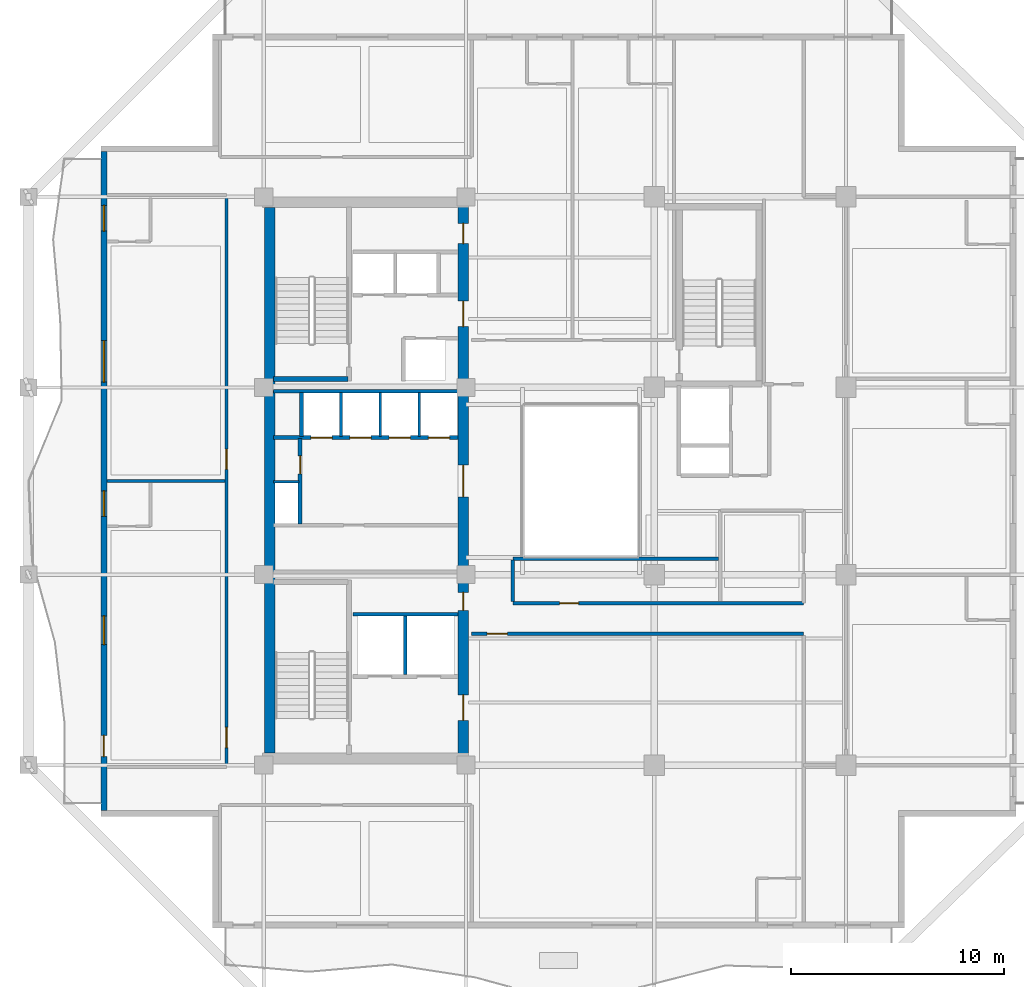
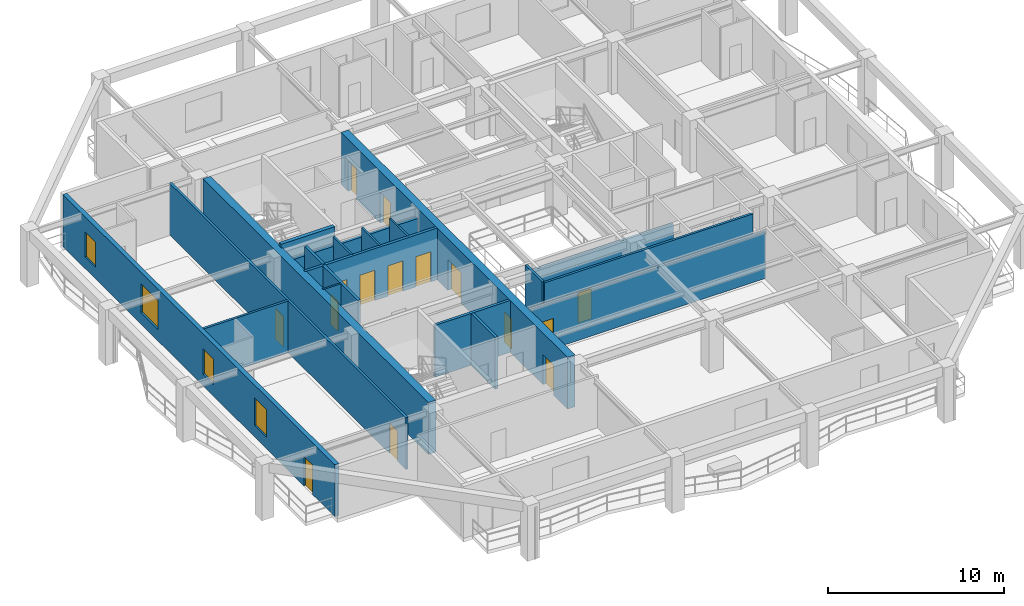
# One storey, part 3 of 12: 20 walls, 15 doors, 4 windows, 19 openings.
"""IFC4 building model written with IfcOpenShell, lengths in metres."""

import ifcopenshell
import ifcopenshell.guid

model = None  # the IFC model being written
_history = None  # IfcOwnerHistory: only IFC2X3 demands one
_inside = {}  # id of a spatial element -> (the spatial element, [elements in it])
_under = {}  # id of a project, library or spatial element -> (it, [spatial elements below it])
_declared = {}  # id of a project -> (the project, [libraries it declares])
_typed = {}  # id of a type object -> (the type object, [elements of that type])
_made_of = {}  # id of a material, layer set ... -> (it, [elements and type objects made of it])


def new_model(schema):
    """Start an empty IFC model of exactly this schema.

    Asked for "IFC4X3", IfcOpenShell would pick the latest addendum, in which some entities
    have other attributes; the version numbers below select the first issue.
    IFC2X3 requires an IfcOwnerHistory on every rooted entity: one is made here for all.
    """
    global model, _history
    if schema == "IFC4X3":
        model = ifcopenshell.file(schema_version=(4, 3, 0, 0))
    else:
        model = ifcopenshell.file(schema=schema)
    _inside.clear()
    _under.clear()
    _declared.clear()
    _typed.clear()
    _made_of.clear()
    _history = None
    if model.schema == "IFC2X3":
        org = make("IfcOrganization", Name="unknown")
        user = make(
            "IfcPersonAndOrganization",
            ThePerson=make("IfcPerson", FamilyName="unknown"),
            TheOrganization=org,
        )
        app = make(
            "IfcApplication",
            ApplicationDeveloper=org,
            Version="unknown",
            ApplicationFullName="unknown",
            ApplicationIdentifier="unknown",
        )
        _history = make(
            "IfcOwnerHistory",
            OwningUser=user,
            OwningApplication=app,
            ChangeAction="ADDED",
            CreationDate=0,
        )
    return model


def make(cls, **values):
    """One entity of the class cls with the attributes given. An attribute that is None is left unset."""
    return model.create_entity(
        cls, **{name: value for name, value in values.items() if value is not None}
    )


def rooted(cls, **values):
    """An entity with a GlobalId (a new one), such as an element, a storey or a relation."""
    return make(cls, GlobalId=ifcopenshell.guid.new(), OwnerHistory=_history, **values)


def si_unit(unit_type, name, prefix=None):
    """IfcSIUnit, for example si_unit("LENGTHUNIT", "METRE", prefix="MILLI")."""
    return make("IfcSIUnit", UnitType=unit_type, Prefix=prefix, Name=name)


def assignment(units):
    """IfcUnitAssignment: the units of a project."""
    return None if units is None else make("IfcUnitAssignment", Units=units)


def point(xyz):
    """IfcCartesianPoint."""
    return None if xyz is None else make("IfcCartesianPoint", Coordinates=xyz)


def direction(xyz):
    """IfcDirection."""
    return None if xyz is None else make("IfcDirection", DirectionRatios=xyz)


def frame(location, z_axis=None, x_axis=None):
    """IfcAxis2Placement3D, a coordinate frame: its origin and axes. An axis left out is left unset."""
    return make(
        "IfcAxis2Placement3D",
        Location=point(location),
        Axis=direction(z_axis),
        RefDirection=direction(x_axis),
    )


def frame_2d(location, x_axis=None):
    """IfcAxis2Placement2D, a coordinate frame in the plane: its origin and x axis."""
    return make(
        "IfcAxis2Placement2D", Location=point(location), RefDirection=direction(x_axis)
    )


def origin():
    """The frame at (0, 0, 0) with its axes left unset."""
    return frame((0.0, 0.0, 0.0))


def place(relative_to, where):
    """IfcLocalPlacement: puts the frame where relative to a parent placement (None: the world)."""
    return make(
        "IfcLocalPlacement", PlacementRelTo=relative_to, RelativePlacement=where
    )


def context(
    kind, dimensions, precision=None, world=None, true_north=None, identifier=None
):
    """IfcGeometricRepresentationContext, for example the 3D "Model" context."""
    return make(
        "IfcGeometricRepresentationContext",
        ContextIdentifier=identifier,
        ContextType=kind,
        CoordinateSpaceDimension=dimensions,
        Precision=precision,
        WorldCoordinateSystem=world,
        TrueNorth=true_north,
    )


def subcontext(parent, identifier, kind, view, scale=None):
    """IfcGeometricRepresentationSubContext, for example "Body" below "Model"."""
    return make(
        "IfcGeometricRepresentationSubContext",
        ContextIdentifier=identifier,
        ContextType=kind,
        ParentContext=parent,
        TargetScale=scale,
        TargetView=view,
    )


def project(units=None, contexts=None):
    """IfcProject with its units and contexts."""
    return rooted(
        "IfcProject",
        Name="project",
        RepresentationContexts=contexts,
        UnitsInContext=assignment(units),
    )


def spatial(cls, under=None, at=None, **own):
    """A site, building, storey or space (cls), placed at a placement, below another one or the project."""
    s = rooted(cls, ObjectPlacement=at, **own)
    if under is not None:
        _under.setdefault(under.id(), (under, []))[1].append(s)
    return s


def profile(cls, at=None, kind="AREA", **sizes):
    """A parametric profile (cls). Its sizes go by their IFC names, for example OverallWidth=200.0."""
    return make(cls, ProfileType=kind, Position=at, **sizes)


def rectangle(**sizes):
    """IfcRectangleProfileDef."""
    return profile("IfcRectangleProfileDef", **sizes)


def extrude(swept, where, along, depth):
    """IfcExtrudedAreaSolid: the profile swept, set in the frame where, extruded along a direction by depth."""
    return make(
        "IfcExtrudedAreaSolid",
        SweptArea=swept,
        Position=where,
        ExtrudedDirection=direction(along),
        Depth=depth,
    )


def shape(context_of_items, identifier, shape_type, items):
    """IfcShapeRepresentation: the items that make up one representation, for example the "Body"."""
    return make(
        "IfcShapeRepresentation",
        ContextOfItems=context_of_items,
        RepresentationIdentifier=identifier,
        RepresentationType=shape_type,
        Items=items,
    )


def material(Name=None, Category=None):
    """IfcMaterial."""
    return make("IfcMaterial", Name=Name, Category=Category)


def layer(
    of_material, thickness, ventilated=None, Name=None, Category=None, Priority=None
):
    """IfcMaterialLayer: one layer of a wall or slab, of a material (None: an air gap)."""
    return make(
        "IfcMaterialLayer",
        Material=of_material,
        LayerThickness=thickness,
        IsVentilated=ventilated,
        Name=Name,
        Category=Category,
        Priority=Priority,
    )


def layer_set(layers, Name=None):
    """IfcMaterialLayerSet."""
    return make("IfcMaterialLayerSet", MaterialLayers=layers, LayerSetName=Name)


def made_of(thing, what):
    """Note that an element or type object is made of a material, layer set ...; save() writes the relation."""
    if what is not None:
        _made_of.setdefault(what.id(), (what, []))[1].append(thing)
    return thing


def type_object(cls, material=None, **own):
    """A type object (cls), such as IfcWallType, which elements share."""
    return made_of(rooted(cls, **own), material)


def element(
    cls,
    number,
    at=None,
    inside=None,
    cuts=None,
    type_object=None,
    material=None,
    context=None,
    identifier="Body",
    shape_type=None,
    held_by="IfcProductDefinitionShape",
    body=None,
    shapes=None,
    **own,
):
    """One element of the class cls, such as IfcWall. Its Tag is "e" and its number.

    at: its placement. inside: the storey or other place that contains it. cuts: it is an
    opening in that element (IfcRelVoidsElement). A single representation is given by context,
    identifier, shape_type and body (its items); several are given by shapes. held_by: the class
    of the entity that holds the representations. save() writes the other relations.
    """
    e = rooted(cls, Tag="e%d" % number, ObjectPlacement=at, **own)
    if body is not None:
        shapes = [shape(context, identifier, shape_type, body)]
    if shapes is not None:
        e.Representation = make(held_by, Representations=shapes)
    if inside is not None:
        _inside.setdefault(inside.id(), (inside, []))[1].append(e)
    if cuts is not None:
        rooted(
            "IfcRelVoidsElement", RelatingBuildingElement=cuts, RelatedOpeningElement=e
        )
    if type_object is not None:
        _typed.setdefault(type_object.id(), (type_object, []))[1].append(e)
    return made_of(e, material)


def fill(opening, filler):
    """IfcRelFillsElement: the door or window that sits in an opening."""
    return rooted(
        "IfcRelFillsElement",
        RelatingOpeningElement=opening,
        RelatedBuildingElement=filler,
    )


def aggregate(whole, parts):
    """IfcRelAggregates: a whole, such as a stair, and the parts it consists of."""
    return rooted("IfcRelAggregates", RelatingObject=whole, RelatedObjects=parts)


def save(model, path):
    """Write the relations noted so far, then the file.

    IfcRelAggregates (storeys below a building ...), IfcRelContainedInSpatialStructure (elements
    in a storey), IfcRelDefinesByType, IfcRelAssociatesMaterial and IfcRelDeclares: one each for
    every whole, place, type object, material and project.
    """
    for whole, parts in _under.values():
        aggregate(whole, parts)
    for where, things in _inside.values():
        rooted(
            "IfcRelContainedInSpatialStructure",
            RelatedElements=things,
            RelatingStructure=where,
        )
    for kind, things in _typed.values():
        rooted("IfcRelDefinesByType", RelatedObjects=things, RelatingType=kind)
    for what, things in _made_of.values():
        rooted("IfcRelAssociatesMaterial", RelatedObjects=things, RelatingMaterial=what)
    for by, libraries in _declared.values():
        rooted("IfcRelDeclares", RelatingContext=by, RelatedDefinitions=libraries)
    model.write(path)


model = new_model("IFC4")

# Units and contexts
model_context = context("Model", 3, precision=1e-05, world=origin(), true_north=direction((0.0, 1.0)))
body_context = subcontext(model_context, "Body", "Model", "MODEL_VIEW")
ifc_project = project(units=[si_unit("LENGTHUNIT", "METRE"), si_unit("AREAUNIT", "SQUARE_METRE"), si_unit("VOLUMEUNIT", "CUBIC_METRE"), si_unit("PLANEANGLEUNIT", "RADIAN"), si_unit("MASSUNIT", "GRAM", prefix="KILO")], contexts=[model_context])

# Site, building, storey
site_placement = place(None, origin())
site = spatial("IfcSite", under=ifc_project, at=site_placement, CompositionType="ELEMENT")
building_placement = place(site_placement, origin())
building = spatial("IfcBuilding", under=site, at=building_placement, Name="Kundavana Baori Tower", CompositionType="ELEMENT")
storey_placement = place(building_placement, frame((0.0, 0.0, 196.39990234375)))
storey = spatial("IfcBuildingStorey", under=building, at=storey_placement, Name="L48", CompositionType="ELEMENT", Elevation=196.39990234375)

# Walls
ifc_material_1 = material(Name="Concrete C50/60", Category="concrete")
ifc_layer_1 = layer(ifc_material_1, 0.39990234375, Name="WL-CORE-400")
ifc_layer_set_1 = layer_set([ifc_layer_1], Name="Concrete C50/60")
wall_type_1 = type_object("IfcWallType", Name="WL-CORE-400", PredefinedType="SHEAR", material=ifc_layer_set_1)
wall_1_placement = place(storey_placement, frame((15.89990234375, 33.389892578125, 0.0), z_axis=(0.0, 0.0, 1.0), x_axis=(1.0, 0.0, 0.0)))
element("IfcWall", 1, at=wall_1_placement, inside=storey, type_object=wall_type_1, Name="WL-L48-ST2-S", PredefinedType="SHEAR", context=body_context, shape_type="SweptSolid", body=[
    extrude(rectangle(XDim=3.52001953125, YDim=0.239990234375, at=frame_2d((1.760009765625, 0.0))), origin(), (0.0, 0.0, 1.0), 3.85009765625),
])
ifc_material_2 = material(Name="Concrete C50/60", Category="concrete")
ifc_layer_2 = layer(ifc_material_2, 0.5, Name="WL-CORE-500")
ifc_layer_set_2 = layer_set([ifc_layer_2], Name="Concrete C50/60")
wall_type_2 = type_object("IfcWallType", Name="WL-CORE-500", PredefinedType="SHEAR", material=ifc_layer_set_2)
wall_2_placement = place(storey_placement, frame((15.739990234375, 15.81005859375, 0.0), z_axis=(0.0, 0.0, 1.0), x_axis=(0.0, 1.0, 0.0)))
element("IfcWall", 2, at=wall_2_placement, inside=storey, type_object=wall_type_2, Name="L48 Offset Core West Shear Wall", PredefinedType="SHEAR", context=body_context, shape_type="SweptSolid", body=[
    extrude(rectangle(XDim=25.6298828125, YDim=0.5, at=frame_2d((12.81494140625, 0.0))), origin(), (0.0, 0.0, 1.0), 3.60009765625),
])

# Wall, openings, doors
wall_3_placement = place(storey_placement, frame((24.830078125, 15.739990234375, 0.0), z_axis=(0.0, 0.0, 1.0), x_axis=(0.0, 1.0, 0.0)))
wall_3 = element("IfcWall", 3, at=wall_3_placement, inside=storey, type_object=wall_type_2, Name="L48 Offset Core East Shear Wall", PredefinedType="SHEAR", context=body_context, shape_type="SweptSolid", body=[
    extrude(rectangle(XDim=25.760009765625, YDim=0.5, at=frame_2d((12.8798828125, 0.0))), origin(), (0.0, 0.0, 1.0), 3.60009765625),
])
opening_1_placement = place(wall_3_placement, frame((1.610107421875, 0.0, 0.0)))
opening_1 = element("IfcOpeningElement", 4, at=opening_1_placement, cuts=wall_3, Name="Opening FD-120", PredefinedType="OPENING", context=body_context, shape_type="SweptSolid", body=[
    extrude(rectangle(XDim=1.199951171875, YDim=2.10009765625, at=frame_2d((0.60009765625, 1.050048828125))), frame((0.0, 0.260009765625, 0.0), z_axis=(0.0, -1.0, 0.0), x_axis=(1.0, 0.0, 0.0)), (0.0, 0.0, 1.0), 0.52001953125),
])
opening_2_placement = place(wall_3_placement, frame((6.780029296875, 0.0, 0.0)))
opening_2 = element("IfcOpeningElement", 5, at=opening_2_placement, cuts=wall_3, Name="Opening FD-085", PredefinedType="OPENING", context=body_context, shape_type="SweptSolid", body=[
    extrude(rectangle(XDim=0.85009765625, YDim=2.06005859375, at=frame_2d((0.425048828125, 1.030029296875))), frame((0.0, 0.260009765625, 0.0), z_axis=(0.0, -1.0, 0.0), x_axis=(1.0, 0.0, 0.0)), (0.0, 0.0, 1.0), 0.52001953125),
])
opening_3_placement = place(wall_3_placement, frame((12.110107421875, 0.0, 0.0)))
opening_3 = element("IfcOpeningElement", 6, at=opening_3_placement, cuts=wall_3, Name="Opening FD-150", PredefinedType="OPENING", context=body_context, shape_type="SweptSolid", body=[
    extrude(rectangle(XDim=1.5, YDim=2.1201171875, at=frame_2d((0.75, 1.06005859375))), frame((0.0, 0.260009765625, 0.0), z_axis=(0.0, -1.0, 0.0), x_axis=(1.0, 0.0, 0.0)), (0.0, 0.0, 1.0), 0.52001953125),
])
opening_4_placement = place(wall_3_placement, frame((20.110107421875, 0.0, 0.0)))
opening_4 = element("IfcOpeningElement", 7, at=opening_4_placement, cuts=wall_3, Name="Opening FD-122", PredefinedType="OPENING", context=body_context, shape_type="SweptSolid", body=[
    extrude(rectangle(XDim=1.199951171875, YDim=2.1201171875, at=frame_2d((0.60009765625, 1.06005859375))), frame((0.0, 0.260009765625, 0.0), z_axis=(0.0, -1.0, 0.0), x_axis=(1.0, 0.0, 0.0)), (0.0, 0.0, 1.0), 0.52001953125),
])
opening_5_placement = place(wall_3_placement, frame((24.010009765625, 0.0, 0.0)))
opening_5 = element("IfcOpeningElement", 8, at=opening_5_placement, cuts=wall_3, Name="Opening FD-095", PredefinedType="OPENING", context=body_context, shape_type="SweptSolid", body=[
    extrude(rectangle(XDim=0.949951171875, YDim=2.10009765625, at=frame_2d((0.47509765625, 1.050048828125))), frame((0.0, 0.260009765625, 0.0), z_axis=(0.0, -1.0, 0.0), x_axis=(1.0, 0.0, 0.0)), (0.0, 0.0, 1.0), 0.52001953125),
])
ifc_material_3 = material(Name="Galvanised Steel Fire-Rated Door Leaf", Category="steel")
door_type_1 = type_object("IfcDoorType", Name="DR-FD120-1200", OperationType="NOTDEFINED", PredefinedType="DOOR", material=ifc_material_3)
door_1_placement = place(opening_1_placement, frame((1.199951171875, 0.0, 0.0), z_axis=(0.0, 0.0, 1.0), x_axis=(-1.0, 0.0, 0.0)))
door_1 = element("IfcDoor", 9, at=door_1_placement, inside=storey, type_object=door_type_1, Name="DR-L48-FFLOB-E", OperationType="SINGLE_SWING_RIGHT", OverallHeight=2.10009765625, OverallWidth=1.199951171875, PredefinedType="DOOR", context=body_context, shape_type="SweptSolid", body=[
    extrude(rectangle(XDim=1.199951171875, YDim=2.10009765625, at=frame_2d((0.60009765625, 1.050048828125))), frame((0.0, 0.02490234375, 0.0), z_axis=(0.0, -1.0, 0.0), x_axis=(1.0, 0.0, 0.0)), (0.0, 0.0, 1.0), 0.050048828125),
])
fill(opening_1, door_1)
ifc_material_4 = material(Name="Galvanised Steel Fire-Rated Door Leaf", Category="steel")
door_type_2 = type_object("IfcDoorType", Name="DR-FD60-1200", OperationType="NOTDEFINED", PredefinedType="DOOR", material=ifc_material_4)
door_2_placement = place(opening_4_placement, frame((1.199951171875, 0.0, 0.0), z_axis=(0.0, 0.0, 1.0), x_axis=(-1.0, 0.0, 0.0)))
door_2 = element("IfcDoor", 10, at=door_2_placement, inside=storey, type_object=door_type_2, Name="DR-L48-HRLOB-E", OperationType="SINGLE_SWING_RIGHT", OverallHeight=2.1201171875, OverallWidth=1.199951171875, PredefinedType="DOOR", context=body_context, shape_type="SweptSolid", body=[
    extrude(rectangle(XDim=1.199951171875, YDim=2.1201171875, at=frame_2d((0.60009765625, 1.06005859375))), frame((0.0, 0.02490234375, 0.0), z_axis=(0.0, -1.0, 0.0), x_axis=(1.0, 0.0, 0.0)), (0.0, 0.0, 1.0), 0.050048828125),
])
fill(opening_4, door_2)
ifc_material_5 = material(Name="Galvanised Steel Fire-Rated Door Leaf", Category="steel")
door_type_3 = type_object("IfcDoorType", Name="DR-FD60-1500", OperationType="NOTDEFINED", PredefinedType="DOOR", material=ifc_material_5)
door_3_placement = place(opening_3_placement, frame((1.5, 0.0, 0.0), z_axis=(0.0, 0.0, 1.0), x_axis=(-1.0, 0.0, 0.0)))
door_3 = element("IfcDoor", 11, at=door_3_placement, inside=storey, type_object=door_type_3, Name="DR-L48-LIFTHALL-E", OperationType="SINGLE_SWING_LEFT", OverallHeight=2.1201171875, OverallWidth=1.5, PredefinedType="DOOR", context=body_context, shape_type="SweptSolid", body=[
    extrude(rectangle(XDim=1.5, YDim=2.1201171875, at=frame_2d((0.75, 1.06005859375))), frame((0.0, 0.02490234375, 0.0), z_axis=(0.0, -1.0, 0.0), x_axis=(1.0, 0.0, 0.0)), (0.0, 0.0, 1.0), 0.050048828125),
])
fill(opening_3, door_3)
ifc_material_6 = material(Name="Galvanised Steel Fire-Rated Door Leaf", Category="steel")
door_type_4 = type_object("IfcDoorType", Name="DR-FD60-850", OperationType="NOTDEFINED", PredefinedType="DOOR", material=ifc_material_6)
door_4_placement = place(opening_2_placement, frame((0.85009765625, 0.0, 0.0), z_axis=(0.0, 0.0, 1.0), x_axis=(-1.0, 0.0, 0.0)))
door_4 = element("IfcDoor", 12, at=door_4_placement, inside=storey, type_object=door_type_4, Name="DR-L48-CSMK1", OperationType="SINGLE_SWING_LEFT", OverallHeight=2.06005859375, OverallWidth=0.85009765625, PredefinedType="DOOR", context=body_context, shape_type="SweptSolid", body=[
    extrude(rectangle(XDim=0.85009765625, YDim=2.06005859375, at=frame_2d((0.425048828125, 1.030029296875))), frame((0.0, 0.02490234375, 0.0), z_axis=(0.0, -1.0, 0.0), x_axis=(1.0, 0.0, 0.0)), (0.0, 0.0, 1.0), 0.050048828125),
])
fill(opening_2, door_4)
ifc_material_7 = material(Name="Engineered Teak Fire-Rated Timber Door Leaf", Category="wood")
door_type_5 = type_object("IfcDoorType", Name="DR-FD60-950", OperationType="NOTDEFINED", PredefinedType="DOOR", material=ifc_material_7)
door_5_placement = place(opening_5_placement, frame((0.949951171875, 0.0, 0.0), z_axis=(0.0, 0.0, 1.0), x_axis=(-1.0, 0.0, 0.0)))
door_5 = element("IfcDoor", 13, at=door_5_placement, inside=storey, type_object=door_type_5, Name="DR-L48-CSRV1", OperationType="SINGLE_SWING_LEFT", OverallHeight=2.10009765625, OverallWidth=0.949951171875, PredefinedType="DOOR", context=body_context, shape_type="SweptSolid", body=[
    extrude(rectangle(XDim=0.949951171875, YDim=2.10009765625, at=frame_2d((0.47509765625, 1.050048828125))), frame((0.0, 0.02490234375, 0.0), z_axis=(0.0, -1.0, 0.0), x_axis=(1.0, 0.0, 0.0)), (0.0, 0.0, 1.0), 0.050048828125),
])
fill(opening_5, door_5)

# Wall, openings, door, windows
ifc_material_8 = material(Name="Red-Buff Dholpur Sandstone Cladding on Concrete C40/50", Category="masonry")
ifc_layer_3 = layer(ifc_material_8, 0.280029296875, Name="WL-EXT-SAND-280")
ifc_layer_set_3 = layer_set([ifc_layer_3], Name="Red-Buff Dholpur Sandstone Cladding on Concrete C40/50")
wall_type_3 = type_object("IfcWallType", Name="WL-EXT-SAND-280", PredefinedType="STANDARD", material=ifc_layer_set_3)
wall_4_placement = place(storey_placement, frame((7.93994140625, 44.070068359375, 0.0), z_axis=(0.0, 0.0, 1.0), x_axis=(0.0, -1.0, 0.0)))
wall_4 = element("IfcWall", 14, at=wall_4_placement, inside=storey, type_object=wall_type_3, Name="L48 Exterior Insulated Facade Wall 10", PredefinedType="STANDARD", context=body_context, shape_type="SweptSolid", body=[
    extrude(rectangle(XDim=30.940185546875, YDim=0.280029296875, at=frame_2d((15.47021484375, 0.0))), origin(), (0.0, 0.0, 1.0), 3.60009765625),
])
opening_6_placement = place(wall_4_placement, frame((27.419921875, 0.0, 0.0)))
opening_6 = element("IfcOpeningElement", 15, at=opening_6_placement, cuts=wall_4, Name="Opening BD-1", PredefinedType="OPENING", context=body_context, shape_type="SweptSolid", body=[
    extrude(rectangle(XDim=1.0, YDim=2.050048828125, at=frame_2d((0.5, 1.02490234375))), frame((0.0, 0.14990234375, 0.0), z_axis=(0.0, -1.0, 0.0), x_axis=(1.0, 0.0, 0.0)), (0.0, 0.0, 1.0), 0.300048828125),
])
opening_7_placement = place(wall_4_placement, frame((21.804931640625, 0.0, 0.800048828125)))
opening_7 = element("IfcOpeningElement", 16, at=opening_7_placement, cuts=wall_4, Name="Opening W-07", PredefinedType="OPENING", context=body_context, shape_type="SweptSolid", body=[
    extrude(rectangle(XDim=1.35009765625, YDim=1.89990234375, at=frame_2d((0.675048828125, 0.949951171875))), frame((0.0, 0.14990234375, 0.0), z_axis=(0.0, -1.0, 0.0), x_axis=(1.0, 0.0, 0.0)), (0.0, 0.0, 1.0), 0.300048828125),
])
opening_8_placement = place(wall_4_placement, frame((15.93505859375, 0.0, 0.800048828125)))
opening_8 = element("IfcOpeningElement", 17, at=opening_8_placement, cuts=wall_4, Name="Opening W-03", PredefinedType="OPENING", context=body_context, shape_type="SweptSolid", body=[
    extrude(rectangle(XDim=1.199951171875, YDim=1.75, at=frame_2d((0.60009765625, 0.875))), frame((0.0, 0.14990234375, 0.0), z_axis=(0.0, -1.0, 0.0), x_axis=(1.0, 0.0, 0.0)), (0.0, 0.0, 1.0), 0.300048828125),
])
opening_9_placement = place(wall_4_placement, frame((8.8701171875, 0.0, 0.800048828125)))
opening_9 = element("IfcOpeningElement", 18, at=opening_9_placement, cuts=wall_4, Name="Opening W-09", PredefinedType="OPENING", context=body_context, shape_type="SweptSolid", body=[
    extrude(rectangle(XDim=1.949951171875, YDim=2.0, at=frame_2d((0.97509765625, 1.0))), frame((0.0, 0.14990234375, 0.0), z_axis=(0.0, -1.0, 0.0), x_axis=(1.0, 0.0, 0.0)), (0.0, 0.0, 1.0), 0.300048828125),
])
opening_10_placement = place(wall_4_placement, frame((2.52490234375, 0.0, 0.800048828125)))
opening_10 = element("IfcOpeningElement", 19, at=opening_10_placement, cuts=wall_4, Name="Opening W-03", PredefinedType="OPENING", context=body_context, shape_type="SweptSolid", body=[
    extrude(rectangle(XDim=1.199951171875, YDim=1.75, at=frame_2d((0.60009765625, 0.875))), frame((0.0, 0.14990234375, 0.0), z_axis=(0.0, -1.0, 0.0), x_axis=(1.0, 0.0, 0.0)), (0.0, 0.0, 1.0), 0.300048828125),
])
ifc_material_9 = material(Name="Architectural Patinated Bronze Metalwork")
door_type_6 = type_object("IfcDoorType", Name="DR-EXT-LOG-1000", OperationType="NOTDEFINED", PredefinedType="DOOR", material=ifc_material_9)
door_6_placement = place(opening_6_placement, frame((1.0, 0.0, 0.0), z_axis=(0.0, 0.0, 1.0), x_axis=(-1.0, 0.0, 0.0)))
door_6 = element("IfcDoor", 20, at=door_6_placement, inside=storey, type_object=door_type_6, Name="L48 Loggia Balcony Access Door W", OperationType="SINGLE_SWING_RIGHT", OverallHeight=2.050048828125, OverallWidth=1.0, PredefinedType="DOOR", context=body_context, shape_type="SweptSolid", body=[
    extrude(rectangle(XDim=1.0, YDim=2.050048828125, at=frame_2d((0.5, 1.02490234375))), frame((0.0, 0.02490234375, 0.0), z_axis=(0.0, -1.0, 0.0), x_axis=(1.0, 0.0, 0.0)), (0.0, 0.0, 1.0), 0.050048828125),
])
fill(opening_6, door_6)
ifc_material_10 = material(Name="Double-Glazed Solar-Control Low-E Insulated Glass", Category="glass")
window_type_1 = type_object("IfcWindowType", Name="WIN-LOG-1200x1750", PartitioningType="SINGLE_PANEL", PredefinedType="WINDOW", material=ifc_material_10)
window_1_placement = place(opening_8_placement, origin())
window_1 = element("IfcWindow", 21, at=window_1_placement, inside=storey, type_object=window_type_1, Name="L48 Recessed Loggia Window W-2", OverallHeight=1.75, OverallWidth=1.199951171875, PartitioningType="SINGLE_PANEL", PredefinedType="WINDOW", context=body_context, shape_type="SweptSolid", body=[
    extrude(rectangle(XDim=1.199951171875, YDim=1.75, at=frame_2d((0.60009765625, 0.875))), frame((0.0, 0.030029296875, 0.0), z_axis=(0.0, -1.0, 0.0), x_axis=(1.0, 0.0, 0.0)), (0.0, 0.0, 1.0), 0.06005859375),
])
fill(opening_8, window_1)
window_2_placement = place(opening_10_placement, origin())
window_2 = element("IfcWindow", 22, at=window_2_placement, inside=storey, type_object=window_type_1, Name="L48 Recessed Loggia Window W-4", OverallHeight=1.75, OverallWidth=1.199951171875, PartitioningType="SINGLE_PANEL", PredefinedType="WINDOW", context=body_context, shape_type="SweptSolid", body=[
    extrude(rectangle(XDim=1.199951171875, YDim=1.75, at=frame_2d((0.60009765625, 0.875))), frame((0.0, 0.030029296875, 0.0), z_axis=(0.0, -1.0, 0.0), x_axis=(1.0, 0.0, 0.0)), (0.0, 0.0, 1.0), 0.06005859375),
])
fill(opening_10, window_2)
ifc_material_11 = material(Name="Double-Glazed Solar-Control Low-E Insulated Glass", Category="glass")
window_type_2 = type_object("IfcWindowType", Name="WIN-LOG-1350x1900", PartitioningType="SINGLE_PANEL", PredefinedType="WINDOW", material=ifc_material_11)
window_3_placement = place(opening_7_placement, origin())
window_3 = element("IfcWindow", 23, at=window_3_placement, inside=storey, type_object=window_type_2, Name="L48 Recessed Loggia Window W-1", OverallHeight=1.89990234375, OverallWidth=1.35009765625, PartitioningType="SINGLE_PANEL", PredefinedType="WINDOW", context=body_context, shape_type="SweptSolid", body=[
    extrude(rectangle(XDim=1.35009765625, YDim=1.89990234375, at=frame_2d((0.675048828125, 0.949951171875))), frame((0.0, 0.030029296875, 0.0), z_axis=(0.0, -1.0, 0.0), x_axis=(1.0, 0.0, 0.0)), (0.0, 0.0, 1.0), 0.06005859375),
])
fill(opening_7, window_3)
ifc_material_12 = material(Name="Double-Glazed Solar-Control Low-E Insulated Glass", Category="glass")
window_type_3 = type_object("IfcWindowType", Name="WIN-LOG-1950x2000", PartitioningType="SINGLE_PANEL", PredefinedType="WINDOW", material=ifc_material_12)
window_4_placement = place(opening_9_placement, origin())
window_4 = element("IfcWindow", 24, at=window_4_placement, inside=storey, type_object=window_type_3, Name="L48 Recessed Loggia Window W-3", OverallHeight=2.0, OverallWidth=1.949951171875, PartitioningType="SINGLE_PANEL", PredefinedType="WINDOW", context=body_context, shape_type="SweptSolid", body=[
    extrude(rectangle(XDim=1.949951171875, YDim=2.0, at=frame_2d((0.97509765625, 1.0))), frame((0.0, 0.030029296875, 0.0), z_axis=(0.0, -1.0, 0.0), x_axis=(1.0, 0.0, 0.0)), (0.0, 0.0, 1.0), 0.06005859375),
])
fill(opening_9, window_4)

# Walls
ifc_material_13 = material(Name="Acoustic Gypsum Plasterboard on Galvanised Steel Studs", Category="steel")
ifc_layer_4 = layer(ifc_material_13, 0.1201171875, Name="WL-PART-120")
ifc_layer_set_4 = layer_set([ifc_layer_4], Name="Acoustic Gypsum Plasterboard on Galvanised Steel Studs")
wall_type_4 = type_object("IfcWallType", Name="WL-PART-120", PredefinedType="PARTITIONING", material=ifc_layer_set_4)
wall_5_placement = place(storey_placement, frame((15.89990234375, 28.56005859375, 0.0), z_axis=(0.0, 0.0, 1.0), x_axis=(1.0, 0.0, 0.0)))
element("IfcWall", 25, at=wall_5_placement, inside=storey, type_object=wall_type_4, Name="WL-L48-RSRW-N", PredefinedType="PARTITIONING", context=body_context, shape_type="SweptSolid", body=[
    extrude(rectangle(XDim=1.2001953125, YDim=0.1201171875, at=frame_2d((0.60009765625, 0.0))), origin(), (0.0, 0.0, 1.0), 3.60009765625),
])
for number, where, z_axis, x_axis, name in (
    (26, (19.080078125, 30.699951171875, 0.0), (0.0, 0.0, 1.0), (0.0, 1.0, 0.0), "WL-L48-LPMID-D1"),
    (27, (20.919921875, 30.699951171875, 0.0), (0.0, 0.0, 1.0), (0.0, 1.0, 0.0), "WL-L48-LPMID-D2"),
    (28, (22.760009765625, 30.699951171875, 0.0), (0.0, 0.0, 1.0), (0.0, 1.0, 0.0), "WL-L48-LPMID-D3"),
):
    element("IfcWall", number, at=place(storey_placement, frame(where, z_axis=z_axis, x_axis=x_axis)), inside=storey, type_object=wall_type_4, Name=name, PredefinedType="PARTITIONING", context=body_context, shape_type="SweptSolid", body=[
        extrude(rectangle(XDim=2.050048828125, YDim=0.1201171875, at=frame_2d((1.02490234375, 0.0))), origin(), (0.0, 0.0, 1.0), 3.60009765625),
    ])

# Wall, opening, door
ifc_material_14 = material(Name="Fire-Rated Gypsum Drywall on Galvanised Steel Studs", Category="steel")
ifc_layer_5 = layer(ifc_material_14, 0.14990234375, Name="WL-PART-150")
ifc_layer_set_5 = layer_set([ifc_layer_5], Name="Fire-Rated Gypsum Drywall on Galvanised Steel Studs")
wall_type_5 = type_object("IfcWallType", Name="WL-PART-150", PredefinedType="PARTITIONING", material=ifc_layer_set_5)
wall_6_placement = place(storey_placement, frame((25.219970703125, 21.419921875, 0.0), z_axis=(0.0, 0.0, 1.0), x_axis=(1.0, 0.0, 0.0)))
wall_6 = element("IfcWall", 29, at=wall_6_placement, inside=storey, type_object=wall_type_5, Name="WL-L48-HS", PredefinedType="PARTITIONING", context=body_context, shape_type="SweptSolid", body=[
    extrude(rectangle(XDim=15.60009765625, YDim=0.14990234375, at=frame_2d((7.800048828125, 0.0))), origin(), (0.0, 0.0, 1.0), 3.25),
])
opening_11_placement = place(wall_6_placement, frame((0.72998046875, 0.0, 0.0)))
opening_11 = element("IfcOpeningElement", 30, at=opening_11_placement, cuts=wall_6, Name="Opening FD-095", PredefinedType="OPENING", context=body_context, shape_type="SweptSolid", body=[
    extrude(rectangle(XDim=0.949951171875, YDim=2.10009765625, at=frame_2d((0.47509765625, 1.050048828125))), frame((0.0, 0.0849609375, 0.0), z_axis=(0.0, -1.0, 0.0), x_axis=(1.0, 0.0, 0.0)), (0.0, 0.0, 1.0), 0.169921875),
])
door_7_placement = place(opening_11_placement, frame((0.949951171875, 0.0, 0.0), z_axis=(0.0, 0.0, 1.0), x_axis=(-1.0, 0.0, 0.0)))
door_7 = element("IfcDoor", 31, at=door_7_placement, inside=storey, type_object=door_type_5, Name="DR-L48-HK-S1-ENT", OperationType="SINGLE_SWING_RIGHT", OverallHeight=2.10009765625, OverallWidth=0.949951171875, PredefinedType="DOOR", context=body_context, shape_type="SweptSolid", body=[
    extrude(rectangle(XDim=0.949951171875, YDim=2.10009765625, at=frame_2d((0.47509765625, 1.050048828125))), frame((0.0, 0.02490234375, 0.0), z_axis=(0.0, -1.0, 0.0), x_axis=(1.0, 0.0, 0.0)), (0.0, 0.0, 1.0), 0.050048828125),
])
fill(opening_11, door_7)

wall_7_placement = place(storey_placement, frame((27.14990234375, 22.860107421875, 0.0), z_axis=(0.0, 0.0, 1.0), x_axis=(1.0, 0.0, 0.0)))
wall_7 = element("IfcWall", 32, at=wall_7_placement, inside=storey, type_object=wall_type_5, Name="WL-L48-HST", PredefinedType="PARTITIONING", context=body_context, shape_type="SweptSolid", body=[
    extrude(rectangle(XDim=13.670166015625, YDim=0.14990234375, at=frame_2d((6.8349609375, 0.0))), origin(), (0.0, 0.0, 1.0), 3.60009765625),
])
opening_12_placement = place(wall_7_placement, frame((2.199951171875, 0.0, 0.0)))
opening_12 = element("IfcOpeningElement", 33, at=opening_12_placement, cuts=wall_7, Name="Opening ID-090", PredefinedType="OPENING", context=body_context, shape_type="SweptSolid", body=[
    extrude(rectangle(XDim=0.89990234375, YDim=2.080078125, at=frame_2d((0.449951171875, 1.0400390625))), frame((0.0, 0.0849609375, 0.0), z_axis=(0.0, -1.0, 0.0), x_axis=(1.0, 0.0, 0.0)), (0.0, 0.0, 1.0), 0.169921875),
])
ifc_material_15 = material(Name="Engineered Teak Solid-Core Timber Veneer", Category="wood")
door_type_7 = type_object("IfcDoorType", Name="DR-INT-900", OperationType="NOTDEFINED", PredefinedType="DOOR", material=ifc_material_15)
door_8_placement = place(opening_12_placement, origin())
door_8 = element("IfcDoor", 34, at=door_8_placement, inside=storey, type_object=door_type_7, Name="DR-L48-HPNT", OperationType="SINGLE_SWING_LEFT", OverallHeight=2.080078125, OverallWidth=0.89990234375, PredefinedType="DOOR", context=body_context, shape_type="SweptSolid", body=[
    extrude(rectangle(XDim=0.89990234375, YDim=2.080078125, at=frame_2d((0.449951171875, 1.0400390625))), frame((0.0, 0.02490234375, 0.0), z_axis=(0.0, -1.0, 0.0), x_axis=(1.0, 0.0, 0.0)), (0.0, 0.0, 1.0), 0.050048828125),
])
fill(opening_12, door_8)

# Wall, openings, doors
wall_8_placement = place(storey_placement, frame((13.699951171875, 15.159912109375, 0.0), z_axis=(0.0, 0.0, 1.0), x_axis=(0.0, 1.0, 0.0)))
wall_8 = element("IfcWall", 35, at=wall_8_placement, inside=storey, type_object=wall_type_5, Name="WL-L48-HW", PredefinedType="PARTITIONING", context=body_context, shape_type="SweptSolid", body=[
    extrude(rectangle(XDim=26.880126953125, YDim=0.14990234375, at=frame_2d((13.43994140625, 0.0))), origin(), (0.0, 0.0, 1.0), 3.60009765625),
])
opening_13_placement = place(wall_8_placement, frame((0.909912109375, 0.0, 0.0)))
opening_13 = element("IfcOpeningElement", 36, at=opening_13_placement, cuts=wall_8, Name="Opening FD-095", PredefinedType="OPENING", context=body_context, shape_type="SweptSolid", body=[
    extrude(rectangle(XDim=0.949951171875, YDim=2.10009765625, at=frame_2d((0.47509765625, 1.050048828125))), frame((0.0, 0.0849609375, 0.0), z_axis=(0.0, -1.0, 0.0), x_axis=(1.0, 0.0, 0.0)), (0.0, 0.0, 1.0), 0.169921875),
])
opening_14_placement = place(wall_8_placement, frame((13.989990234375, 0.0, 0.0)))
opening_14 = element("IfcOpeningElement", 37, at=opening_14_placement, cuts=wall_8, Name="Opening FD-095", PredefinedType="OPENING", context=body_context, shape_type="SweptSolid", body=[
    extrude(rectangle(XDim=0.949951171875, YDim=2.10009765625, at=frame_2d((0.47509765625, 1.050048828125))), frame((0.0, 0.0849609375, 0.0), z_axis=(0.0, -1.0, 0.0), x_axis=(1.0, 0.0, 0.0)), (0.0, 0.0, 1.0), 0.169921875),
])
door_9_placement = place(opening_13_placement, origin())
door_9 = element("IfcDoor", 38, at=door_9_placement, inside=storey, type_object=door_type_5, Name="DR-L48-HK-W1-ENT", OperationType="SINGLE_SWING_LEFT", OverallHeight=2.10009765625, OverallWidth=0.949951171875, PredefinedType="DOOR", context=body_context, shape_type="SweptSolid", body=[
    extrude(rectangle(XDim=0.949951171875, YDim=2.10009765625, at=frame_2d((0.47509765625, 1.050048828125))), frame((0.0, 0.02490234375, 0.0), z_axis=(0.0, -1.0, 0.0), x_axis=(1.0, 0.0, 0.0)), (0.0, 0.0, 1.0), 0.050048828125),
])
fill(opening_13, door_9)
door_10_placement = place(opening_14_placement, origin())
door_10 = element("IfcDoor", 39, at=door_10_placement, inside=storey, type_object=door_type_5, Name="DR-L48-HK-W2-ENT", OperationType="SINGLE_SWING_LEFT", OverallHeight=2.10009765625, OverallWidth=0.949951171875, PredefinedType="DOOR", context=body_context, shape_type="SweptSolid", body=[
    extrude(rectangle(XDim=0.949951171875, YDim=2.10009765625, at=frame_2d((0.47509765625, 1.050048828125))), frame((0.0, 0.02490234375, 0.0), z_axis=(0.0, -1.0, 0.0), x_axis=(1.0, 0.0, 0.0)), (0.0, 0.0, 1.0), 0.050048828125),
])
fill(opening_14, door_10)

# Walls
wall_9_placement = place(storey_placement, frame((27.14990234375, 24.949951171875, 0.0), z_axis=(0.0, 0.0, 1.0), x_axis=(1.0, 0.0, 0.0)))
element("IfcWall", 40, at=wall_9_placement, inside=storey, type_object=wall_type_5, Name="WL-L48-HPN1", PredefinedType="PARTITIONING", context=body_context, shape_type="SweptSolid", body=[
    extrude(rectangle(XDim=9.670166015625, YDim=0.14990234375, at=frame_2d((4.8349609375, 0.0))), origin(), (0.0, 0.0, 1.0), 3.050048828125),
])
wall_10_placement = place(storey_placement, frame((27.14990234375, 22.93994140625, 0.0), z_axis=(0.0, 0.0, 1.0), x_axis=(0.0, 1.0, 0.0)))
element("IfcWall", 41, at=wall_10_placement, inside=storey, type_object=wall_type_5, Name="WL-L48-HPN2", PredefinedType="PARTITIONING", context=body_context, shape_type="SweptSolid", body=[
    extrude(rectangle(XDim=1.93994140625, YDim=0.14990234375, at=frame_2d((0.969970703125, 0.0))), origin(), (0.0, 0.0, 1.0), 3.60009765625),
])
wall_11_placement = place(storey_placement, frame((8.080078125, 28.60009765625, 0.0), z_axis=(0.0, 0.0, 1.0), x_axis=(1.0, 0.0, 0.0)))
element("IfcWall", 42, at=wall_11_placement, inside=storey, type_object=wall_type_5, Name="WL-L48-HWD1", PredefinedType="PARTITIONING", context=body_context, shape_type="SweptSolid", body=[
    extrude(rectangle(XDim=5.559814453125, YDim=0.14990234375, at=frame_2d((2.77978515625, 0.0))), origin(), (0.0, 0.0, 1.0), 3.60009765625),
])
ifc_material_16 = material(Name="Autoclaved Aerated Concrete Blockwork Masonry", Category="masonry")
ifc_layer_6 = layer(ifc_material_16, 0.179931640625, Name="WL-SHAFT-180")
ifc_layer_set_6 = layer_set([ifc_layer_6], Name="Autoclaved Aerated Concrete Blockwork Masonry")
wall_type_6 = type_object("IfcWallType", Name="WL-SHAFT-180", PredefinedType="SOLIDWALL", material=ifc_layer_set_6)
wall_12_placement = place(storey_placement, frame((22.10009765625, 19.510009765625, 0.0), z_axis=(0.0, 0.0, 1.0), x_axis=(0.0, 1.0, 0.0)))
element("IfcWall", 43, at=wall_12_placement, inside=storey, type_object=wall_type_6, Name="WL-L48-FFL-MID", PredefinedType="SOLIDWALL", context=body_context, shape_type="SweptSolid", body=[
    extrude(rectangle(XDim=2.739990234375, YDim=0.179931640625, at=frame_2d((1.3701171875, 0.0))), origin(), (0.0, 0.0, 1.0), 3.60009765625),
])
wall_13_placement = place(storey_placement, frame((19.639892578125, 22.340087890625, 0.0), z_axis=(0.0, 0.0, 1.0), x_axis=(1.0, 0.0, 0.0)))
element("IfcWall", 44, at=wall_13_placement, inside=storey, type_object=wall_type_6, Name="WL-L48-FFL-N", PredefinedType="SOLIDWALL", context=body_context, shape_type="SweptSolid", body=[
    extrude(rectangle(XDim=4.940185546875, YDim=0.179931640625, at=frame_2d((2.47021484375, 0.0))), origin(), (0.0, 0.0, 1.0), 3.60009765625),
])

# Wall, opening, door
wall_14_placement = place(storey_placement, frame((17.159912109375, 26.580078125, 0.0), z_axis=(0.0, 0.0, 1.0), x_axis=(0.0, 1.0, 0.0)))
wall_14 = element("IfcWall", 45, at=wall_14_placement, inside=storey, type_object=wall_type_6, Name="WL-L48-RSRW-E", PredefinedType="SOLIDWALL", context=body_context, shape_type="SweptSolid", body=[
    extrude(rectangle(XDim=4.02001953125, YDim=0.179931640625, at=frame_2d((2.010009765625, 0.0))), origin(), (0.0, 0.0, 1.0), 3.60009765625),
])
opening_15_placement = place(wall_14_placement, frame((2.35009765625, 0.0, 0.0)))
opening_15 = element("IfcOpeningElement", 46, at=opening_15_placement, cuts=wall_14, Name="Opening FD-085", PredefinedType="OPENING", context=body_context, shape_type="SweptSolid", body=[
    extrude(rectangle(XDim=0.85009765625, YDim=2.06005859375, at=frame_2d((0.425048828125, 1.030029296875))), frame((0.0, 0.10009765625, 0.0), z_axis=(0.0, -1.0, 0.0), x_axis=(1.0, 0.0, 0.0)), (0.0, 0.0, 1.0), 0.199951171875),
])
door_11_placement = place(opening_15_placement, origin())
door_11 = element("IfcDoor", 47, at=door_11_placement, inside=storey, type_object=door_type_4, Name="DR-L48-CLN", OperationType="SINGLE_SWING_RIGHT", OverallHeight=2.06005859375, OverallWidth=0.85009765625, PredefinedType="DOOR", context=body_context, shape_type="SweptSolid", body=[
    extrude(rectangle(XDim=0.85009765625, YDim=2.06005859375, at=frame_2d((0.425048828125, 1.030029296875))), frame((0.0, 0.02490234375, 0.0), z_axis=(0.0, -1.0, 0.0), x_axis=(1.0, 0.0, 0.0)), (0.0, 0.0, 1.0), 0.050048828125),
])
fill(opening_15, door_11)

# Wall, openings, doors
wall_15_placement = place(storey_placement, frame((15.89990234375, 30.639892578125, 0.0), z_axis=(0.0, 0.0, 1.0), x_axis=(1.0, 0.0, 0.0)))
wall_15 = element("IfcWall", 48, at=wall_15_placement, inside=storey, type_object=wall_type_6, Name="WL-L48-LPMID-S", PredefinedType="SOLIDWALL", context=body_context, shape_type="SweptSolid", body=[
    extrude(rectangle(XDim=8.68017578125, YDim=0.179931640625, at=frame_2d((4.340087890625, 0.0))), origin(), (0.0, 0.0, 1.0), 3.60009765625),
])
opening_16_placement = place(wall_15_placement, frame((1.760009765625, 0.0, 0.0)))
opening_16 = element("IfcOpeningElement", 49, at=opening_16_placement, cuts=wall_15, Name="Opening LD-100", PredefinedType="OPENING", context=body_context, shape_type="SweptSolid", body=[
    extrude(rectangle(XDim=1.0, YDim=2.10009765625, at=frame_2d((0.5, 1.050048828125))), frame((0.0, 0.10009765625, 0.0), z_axis=(0.0, -1.0, 0.0), x_axis=(1.0, 0.0, 0.0)), (0.0, 0.0, 1.0), 0.199951171875),
])
opening_17_placement = place(wall_15_placement, frame((3.60009765625, 0.0, 0.0)))
opening_17 = element("IfcOpeningElement", 50, at=opening_17_placement, cuts=wall_15, Name="Opening LD-100", PredefinedType="OPENING", context=body_context, shape_type="SweptSolid", body=[
    extrude(rectangle(XDim=1.0, YDim=2.10009765625, at=frame_2d((0.5, 1.050048828125))), frame((0.0, 0.10009765625, 0.0), z_axis=(0.0, -1.0, 0.0), x_axis=(1.0, 0.0, 0.0)), (0.0, 0.0, 1.0), 0.199951171875),
])
opening_18_placement = place(wall_15_placement, frame((5.43994140625, 0.0, 0.0)))
opening_18 = element("IfcOpeningElement", 51, at=opening_18_placement, cuts=wall_15, Name="Opening LD-100", PredefinedType="OPENING", context=body_context, shape_type="SweptSolid", body=[
    extrude(rectangle(XDim=1.0, YDim=2.10009765625, at=frame_2d((0.5, 1.050048828125))), frame((0.0, 0.10009765625, 0.0), z_axis=(0.0, -1.0, 0.0), x_axis=(1.0, 0.0, 0.0)), (0.0, 0.0, 1.0), 0.199951171875),
])
opening_19_placement = place(wall_15_placement, frame((7.280029296875, 0.0, 0.0)))
opening_19 = element("IfcOpeningElement", 52, at=opening_19_placement, cuts=wall_15, Name="Opening LD-100", PredefinedType="OPENING", context=body_context, shape_type="SweptSolid", body=[
    extrude(rectangle(XDim=1.0, YDim=2.10009765625, at=frame_2d((0.5, 1.050048828125))), frame((0.0, 0.10009765625, 0.0), z_axis=(0.0, -1.0, 0.0), x_axis=(1.0, 0.0, 0.0)), (0.0, 0.0, 1.0), 0.199951171875),
])
ifc_material_17 = material(Name="Galvanised Steel Fire-Rated Door Leaf", Category="steel")
door_type_8 = type_object("IfcDoorType", Name="DR-SLIDE-LD1000", OperationType="NOTDEFINED", PredefinedType="DOOR", material=ifc_material_17)
door_12_placement = place(opening_16_placement, frame((1.0, 0.0, 0.0), z_axis=(0.0, 0.0, 1.0), x_axis=(-1.0, 0.0, 0.0)))
door_12 = element("IfcDoor", 53, at=door_12_placement, inside=storey, type_object=door_type_8, Name="DR-L48-LD-LP-05", OperationType="DOUBLE_DOOR_SLIDING", OverallHeight=2.10009765625, OverallWidth=1.0, PredefinedType="DOOR", context=body_context, shape_type="SweptSolid", body=[
    extrude(rectangle(XDim=1.0, YDim=2.10009765625, at=frame_2d((0.5, 1.050048828125))), frame((0.0, 0.02490234375, 0.0), z_axis=(0.0, -1.0, 0.0), x_axis=(1.0, 0.0, 0.0)), (0.0, 0.0, 1.0), 0.050048828125),
])
fill(opening_16, door_12)
door_13_placement = place(opening_17_placement, frame((1.0, 0.0, 0.0), z_axis=(0.0, 0.0, 1.0), x_axis=(-1.0, 0.0, 0.0)))
door_13 = element("IfcDoor", 54, at=door_13_placement, inside=storey, type_object=door_type_8, Name="DR-L48-LD-LP-06", OperationType="DOUBLE_DOOR_SLIDING", OverallHeight=2.10009765625, OverallWidth=1.0, PredefinedType="DOOR", context=body_context, shape_type="SweptSolid", body=[
    extrude(rectangle(XDim=1.0, YDim=2.10009765625, at=frame_2d((0.5, 1.050048828125))), frame((0.0, 0.02490234375, 0.0), z_axis=(0.0, -1.0, 0.0), x_axis=(1.0, 0.0, 0.0)), (0.0, 0.0, 1.0), 0.050048828125),
])
fill(opening_17, door_13)
door_14_placement = place(opening_18_placement, frame((1.0, 0.0, 0.0), z_axis=(0.0, 0.0, 1.0), x_axis=(-1.0, 0.0, 0.0)))
door_14 = element("IfcDoor", 55, at=door_14_placement, inside=storey, type_object=door_type_8, Name="DR-L48-LD-LP-07", OperationType="DOUBLE_DOOR_SLIDING", OverallHeight=2.10009765625, OverallWidth=1.0, PredefinedType="DOOR", context=body_context, shape_type="SweptSolid", body=[
    extrude(rectangle(XDim=1.0, YDim=2.10009765625, at=frame_2d((0.5, 1.050048828125))), frame((0.0, 0.02490234375, 0.0), z_axis=(0.0, -1.0, 0.0), x_axis=(1.0, 0.0, 0.0)), (0.0, 0.0, 1.0), 0.050048828125),
])
fill(opening_18, door_14)
door_15_placement = place(opening_19_placement, frame((1.0, 0.0, 0.0), z_axis=(0.0, 0.0, 1.0), x_axis=(-1.0, 0.0, 0.0)))
door_15 = element("IfcDoor", 56, at=door_15_placement, inside=storey, type_object=door_type_8, Name="DR-L48-LD-LP-08", OperationType="DOUBLE_DOOR_SLIDING", OverallHeight=2.10009765625, OverallWidth=1.0, PredefinedType="DOOR", context=body_context, shape_type="SweptSolid", body=[
    extrude(rectangle(XDim=1.0, YDim=2.10009765625, at=frame_2d((0.5, 1.050048828125))), frame((0.0, 0.02490234375, 0.0), z_axis=(0.0, -1.0, 0.0), x_axis=(1.0, 0.0, 0.0)), (0.0, 0.0, 1.0), 0.050048828125),
])
fill(opening_19, door_15)

# Walls
wall_16_placement = place(storey_placement, frame((15.89990234375, 32.820068359375, 0.0), z_axis=(0.0, 0.0, 1.0), x_axis=(1.0, 0.0, 0.0)))
element("IfcWall", 57, at=wall_16_placement, inside=storey, type_object=wall_type_6, Name="WL-L48-LPMID-N", PredefinedType="SOLIDWALL", context=body_context, shape_type="SweptSolid", body=[
    extrude(rectangle(XDim=8.68017578125, YDim=0.179931640625, at=frame_2d((4.340087890625, 0.0))), origin(), (0.0, 0.0, 1.0), 2.9501953125),
])
wall_17_placement = place(storey_placement, frame((17.219970703125, 30.699951171875, 0.0), z_axis=(0.0, 0.0, 1.0), x_axis=(0.0, 1.0, 0.0)))
element("IfcWall", 58, at=wall_17_placement, inside=storey, type_object=wall_type_6, Name="WL-L48-LPMID-W", PredefinedType="SOLIDWALL", context=body_context, shape_type="SweptSolid", body=[
    extrude(rectangle(XDim=2.050048828125, YDim=0.179931640625, at=frame_2d((1.02490234375, 0.0))), origin(), (0.0, 0.0, 1.0), 3.60009765625),
])

save(model, "model.ifc")
